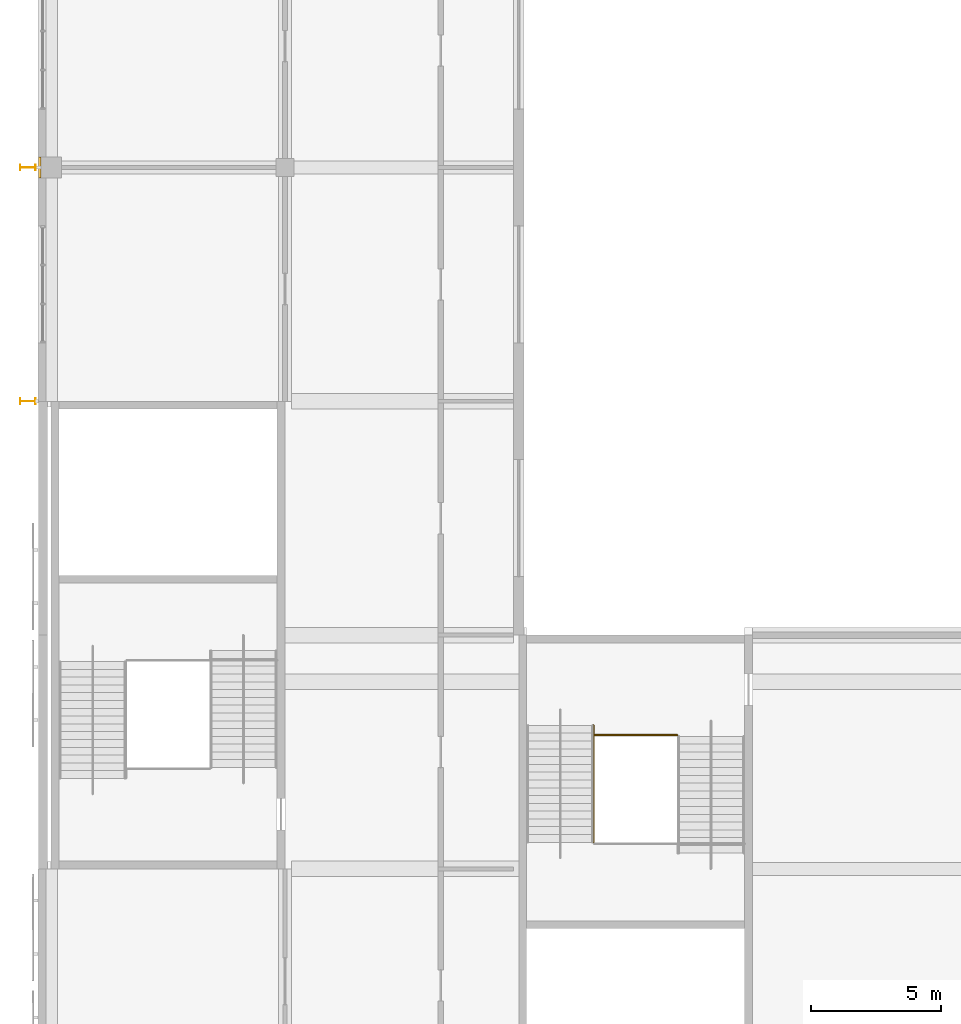
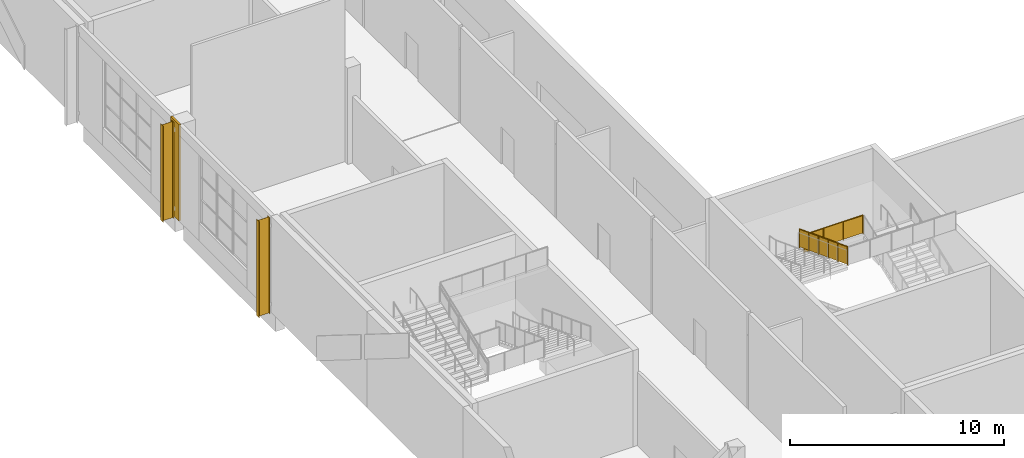
# One storey, part 65 of 84: 2 railings, 2 shading devices, 1 covering.
"""IFC4 building model written with IfcOpenShell, lengths in metres."""

from ifc_helpers import new_model, si_unit, direction, frame, origin, origin_2d, place, context, subcontext, project, spatial, polyline, circle, i_section, outline, extrude, material, layer, layer_set, material_profile, profile_set, type_object, element, save


model = new_model("IFC4")

# Units and contexts
model_context = context("Model", 3, precision=1e-05, world=origin(), true_north=direction((0.0, 1.0)))
body_context = subcontext(model_context, "Body", "Model", "MODEL_VIEW")
ifc_project = project(units=[si_unit("LENGTHUNIT", "METRE"), si_unit("AREAUNIT", "SQUARE_METRE"), si_unit("VOLUMEUNIT", "CUBIC_METRE"), si_unit("PLANEANGLEUNIT", "RADIAN"), si_unit("MASSUNIT", "GRAM", prefix="KILO")], contexts=[model_context])

# Site, building, storey
site_placement = place(None, origin())
site = spatial("IfcSite", under=ifc_project, at=site_placement, CompositionType="ELEMENT")
building_placement = place(site_placement, origin())
building = spatial("IfcBuilding", under=site, at=building_placement, Name="Silverbay Arena", CompositionType="ELEMENT")
storey_placement = place(building_placement, frame((0.0, 0.0, 28.0)))
storey = spatial("IfcBuildingStorey", under=building, at=storey_placement, Name="L04", CompositionType="ELEMENT", Elevation=28.0)

# Covering
ifc_material_1 = material(Name="Aluminium composite cladding", Category="aluminium")
ifc_layer = layer(ifc_material_1, 0.10009765625)
ifc_layer_set = layer_set([ifc_layer], Name="Aluminium composite cladding")
covering_type = type_object("IfcCoveringType", Name="Column cladding 100", PredefinedType="CLADDING", material=ifc_layer_set)
covering_placement = place(storey_placement, origin())
element("IfcCovering", 1, at=covering_placement, inside=storey, type_object=covering_type, Name="West column cladding L04 9", PredefinedType="CLADDING", context=body_context, shape_type="SweptSolid", body=[
    extrude(outline(polyline([(53.5, 80.60009765625), (53.60009765625, 80.60009765625), (53.60009765625, 81.39990234375), (53.5, 81.39990234375), (53.5, 80.60009765625)])), origin(), (0.0, 0.0, 1.0), 5.5),
])

# Railings
ifc_material_2 = material(Name="Stainless steel", Category="steel")
railing_type = type_object("IfcRailingType", Name="Stair guard 1100", PredefinedType="GUARDRAIL", material=ifc_material_2)
railing_1_placement = place(storey_placement, frame((74.875, 59.5205078125, 3.78125)))
element("IfcRailing", 2, at=railing_1_placement, inside=storey, type_object=railing_type, Name="Stair ST-SW2 L04 to L05 flight 3 guard left", PredefinedType="GUARDRAIL", context=body_context, shape_type="SweptSolid", body=[
    extrude(circle(Radius=0.02392578125, at=origin_2d()), frame((0.0, 0.0, 1.076171875), z_axis=(0.0, -0.93417907455, 0.356804507641), x_axis=(1.0, 0.0, 0.0)), (0.0, 0.0, 1.0), 4.817138671875),
    extrude(outline(polyline([(-0.008056640625, 0.046875), (0.907958984375, 0.396728515625), (0.907958984375, 1.39990234375), (-0.008056640625, 1.050048828125), (-0.008056640625, 0.046875)])), frame((0.0029296875, 0.0, 0.0), z_axis=(-1.0, 0.0, 0.0), x_axis=(0.0, -1.0, 0.0)), (0.0, 0.0, 1.0), 0.006103515625),
    extrude(outline(polyline([(-0.008056640625, 0.390625), (0.907958984375, 0.740478515625), (0.907958984375, 1.74365234375), (-0.008056640625, 1.393798828125), (-0.008056640625, 0.390625)])), frame((0.0029296875, -0.89990234375, 0.0), z_axis=(-1.0, 0.0, 0.0), x_axis=(0.0, -1.0, 0.0)), (0.0, 0.0, 1.0), 0.006103515625),
    extrude(outline(polyline([(-0.008056640625, 0.734375), (0.907958984375, 1.084228515625), (0.907958984375, 2.08740234375), (-0.008056640625, 1.737548828125), (-0.008056640625, 0.734375)])), frame((0.0029296875, -1.800048828125, 0.0), z_axis=(-1.0, 0.0, 0.0), x_axis=(0.0, -1.0, 0.0)), (0.0, 0.0, 1.0), 0.006103515625),
    extrude(outline(polyline([(-0.008056640625, 1.078125), (0.907958984375, 1.427978515625), (0.907958984375, 2.43115234375), (-0.008056640625, 2.081298828125), (-0.008056640625, 1.078125)])), frame((0.0029296875, -2.699951171875, 0.0), z_axis=(-1.0, 0.0, 0.0), x_axis=(0.0, -1.0, 0.0)), (0.0, 0.0, 1.0), 0.006103515625),
    extrude(outline(polyline([(-0.008056640625, 1.421875), (0.907958984375, 1.771728515625), (0.907958984375, 2.77490234375), (-0.008056640625, 2.425048828125), (-0.008056640625, 1.421875)])), frame((0.0029296875, -3.60009765625, 0.0), z_axis=(-1.0, 0.0, 0.0), x_axis=(0.0, -1.0, 0.0)), (0.0, 0.0, 1.0), 0.006103515625),
    extrude(circle(Radius=0.02099609375, at=origin_2d()), origin(), (0.0, 0.0, 1.0), 1.052001953125),
    extrude(circle(Radius=0.02099609375, at=origin_2d()), frame((0.0, -0.89990234375, 0.34375)), (0.0, 0.0, 1.0), 1.052001953125),
    extrude(circle(Radius=0.02099609375, at=origin_2d()), frame((0.0, -1.800048828125, 0.6875)), (0.0, 0.0, 1.0), 1.052001953125),
    extrude(circle(Radius=0.02099609375, at=origin_2d()), frame((0.0, -2.699951171875, 1.03125)), (0.0, 0.0, 1.0), 1.052001953125),
    extrude(circle(Radius=0.02099609375, at=origin_2d()), frame((0.0, -3.60009765625, 1.375)), (0.0, 0.0, 1.0), 1.052001953125),
    extrude(circle(Radius=0.02099609375, at=origin_2d()), frame((0.0, -4.5, 1.71875)), (0.0, 0.0, 1.0), 1.052001953125),
])
railing_2_placement = place(storey_placement, frame((78.10009765625, 59.14990234375, 3.666748046875)))
element("IfcRailing", 3, at=railing_2_placement, inside=storey, type_object=railing_type, Name="Stair ST-SW2 L04 to L05 landing 2 guard", PredefinedType="GUARDRAIL", context=body_context, shape_type="SweptSolid", body=[
    extrude(circle(Radius=0.02392578125, at=origin_2d()), frame((0.0, 0.0, 1.076171875), z_axis=(-1.0, 0.0, 0.0), x_axis=(0.0, -1.0, 0.0)), (0.0, 0.0, 1.0), 3.2001953125),
    extrude(outline(polyline([(-0.008056640625, 0.050048828125), (1.07470703125, 0.050048828125), (1.07470703125, 1.052978515625), (-0.008056640625, 1.052978515625), (-0.008056640625, 0.050048828125)])), frame((0.0, -0.0029296875, 0.0), z_axis=(0.0, 1.0, 0.0), x_axis=(-1.0, 0.0, 0.0)), (0.0, 0.0, 1.0), 0.006103515625),
    extrude(outline(polyline([(-0.008056640625, 0.050048828125), (1.07470703125, 0.050048828125), (1.07470703125, 1.052978515625), (-0.008056640625, 1.052978515625), (-0.008056640625, 0.050048828125)])), frame((-1.066650390625, -0.0029296875, 0.0), z_axis=(0.0, 1.0, 0.0), x_axis=(-1.0, 0.0, 0.0)), (0.0, 0.0, 1.0), 0.006103515625),
    extrude(outline(polyline([(-0.008056640625, 0.050048828125), (1.07470703125, 0.050048828125), (1.07470703125, 1.052978515625), (-0.008056640625, 1.052978515625), (-0.008056640625, 0.050048828125)])), frame((-2.133544921875, -0.0029296875, 0.0), z_axis=(0.0, 1.0, 0.0), x_axis=(-1.0, 0.0, 0.0)), (0.0, 0.0, 1.0), 0.006103515625),
    extrude(circle(Radius=0.02099609375, at=origin_2d()), origin(), (0.0, 0.0, 1.0), 1.052001953125),
    extrude(circle(Radius=0.02099609375, at=origin_2d()), frame((-1.066650390625, 0.0, 0.0)), (0.0, 0.0, 1.0), 1.052001953125),
    extrude(circle(Radius=0.02099609375, at=origin_2d()), frame((-2.133544921875, 0.0, 0.0)), (0.0, 0.0, 1.0), 1.052001953125),
    extrude(circle(Radius=0.02099609375, at=origin_2d()), frame((-3.2001953125, 0.0, 0.0)), (0.0, 0.0, 1.0), 1.052001953125),
])

# Shading devices
ifc_material_3 = material(Name="Steel S355", Category="steel")
ifc_material_profile = material_profile(ifc_material_3, i_section(OverallWidth=0.2275390625, OverallDepth=0.6025390625, WebThickness=0.010498046875, FlangeThickness=0.014892578125, at=origin_2d()), Name="UB 610x229x101")
ifc_profile_set = profile_set([ifc_material_profile], Name="Steel S355")
shading_device_type = type_object("IfcShadingDeviceType", Name="Steel fin UB 610x229x101", PredefinedType="USERDEFINED", material=ifc_profile_set)
for number, where, z_axis, x_axis, name in (
    (4, (53.0986328125, 72.0, 0.0), (0.0, 0.0, 1.0), (0.0, 1.0, 0.0), "Steel fin W L04 12"),
    (5, (53.0986328125, 81.0, 0.0), (0.0, 0.0, 1.0), (0.0, 1.0, 0.0), "Steel fin W L04 14"),
):
    element("IfcShadingDevice", number, at=place(storey_placement, frame(where, z_axis=z_axis, x_axis=x_axis)), inside=storey, type_object=shading_device_type, Name=name, ObjectType="FIN", PredefinedType="USERDEFINED", context=body_context, shape_type="SweptSolid", body=[
        extrude(i_section(OverallWidth=0.2275390625, OverallDepth=0.6025390625, WebThickness=0.010498046875, FlangeThickness=0.014892578125, at=origin_2d()), origin(), (0.0, 0.0, 1.0), 5.5),
    ])

save(model, "model.ifc")
